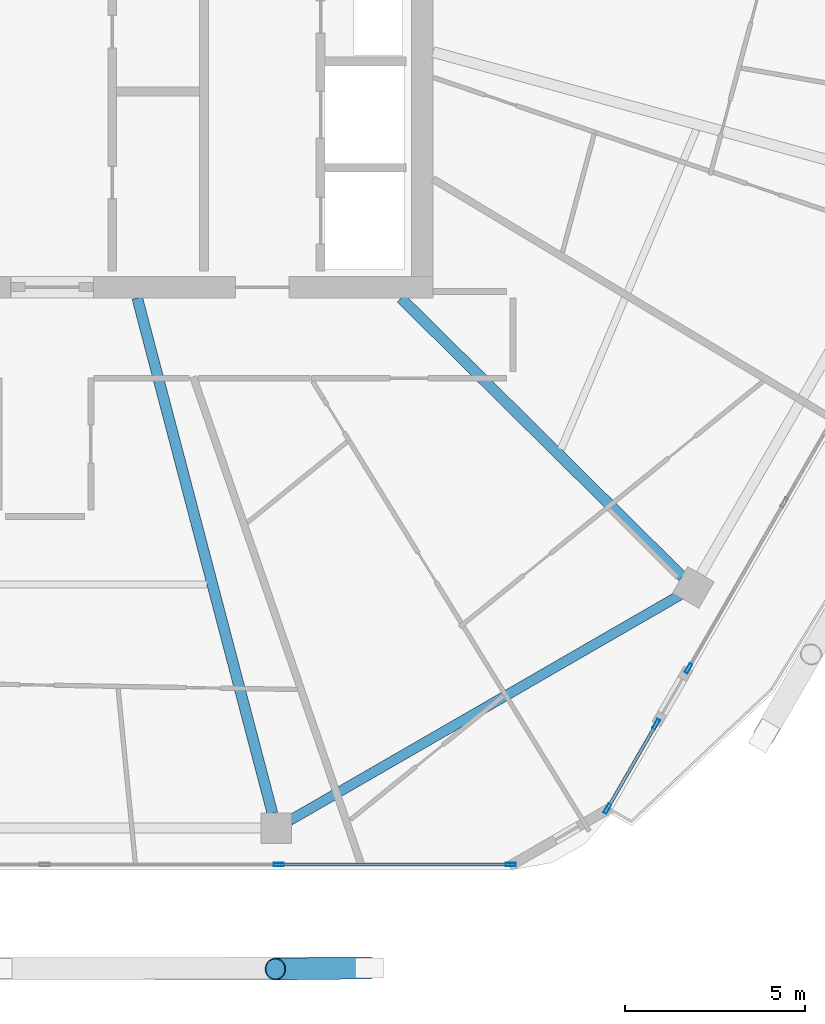
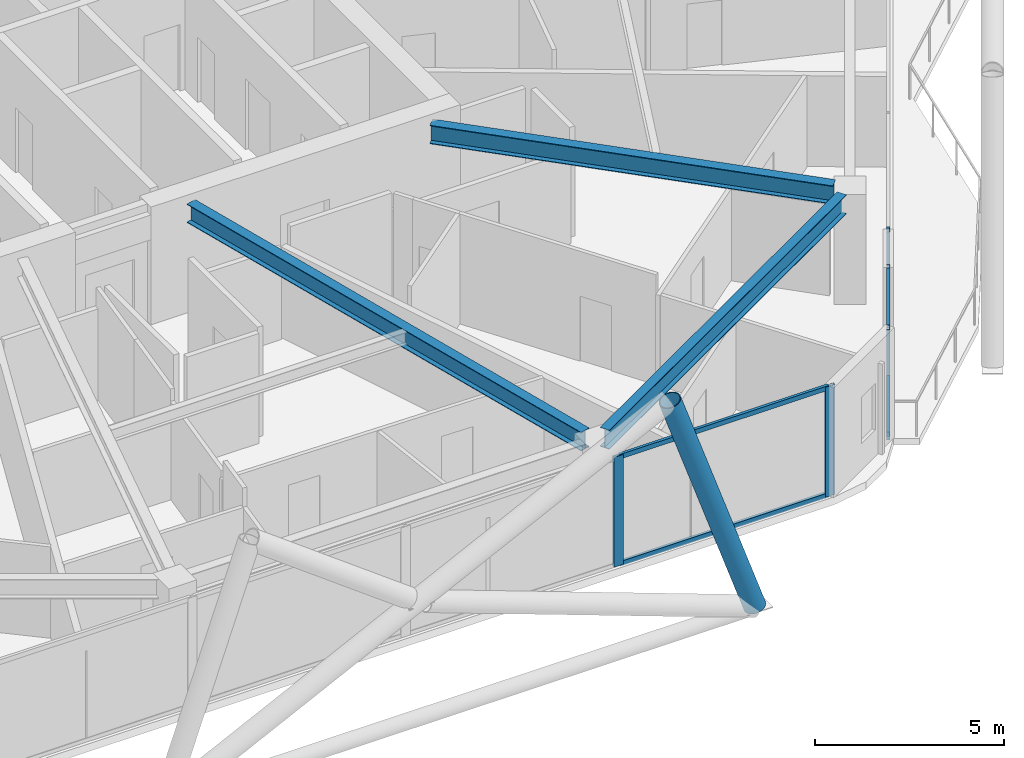
# One storey, part 8 of 29: 10 members, 3 beams, 3 elements without a shape of their own.
"""IFC4 building model written with IfcOpenShell, lengths in metres."""

from ifc_helpers import new_model, si_unit, direction, frame, origin, origin_2d, place, context, subcontext, project, spatial, hollow_rectangle, hollow_circle, i_section, extrude, material, material_profile, profile_set, type_object, element, aggregate, save


model = new_model("IFC4")

# Units and contexts
model_context = context("Model", 3, precision=1e-05, world=origin(), true_north=direction((0.0, 1.0)))
body_context = subcontext(model_context, "Body", "Model", "MODEL_VIEW")
ifc_project = project(units=[si_unit("LENGTHUNIT", "METRE"), si_unit("AREAUNIT", "SQUARE_METRE"), si_unit("VOLUMEUNIT", "CUBIC_METRE"), si_unit("PLANEANGLEUNIT", "RADIAN"), si_unit("MASSUNIT", "GRAM", prefix="KILO")], contexts=[model_context])

# Site, building, storey
site_placement = place(None, origin())
site = spatial("IfcSite", under=ifc_project, at=site_placement, CompositionType="ELEMENT")
building_placement = place(site_placement, origin())
building = spatial("IfcBuilding", under=site, at=building_placement, Name="Zuhravey Tower", CompositionType="ELEMENT")
storey_placement = place(building_placement, frame((0.0, 0.0, 292.0)))
storey = spatial("IfcBuildingStorey", under=building, at=storey_placement, Name="L74", CompositionType="ELEMENT", Elevation=292.0)

# Curtain wall, member
ifc_material_1 = material(Name="Thermally broken anodised aluminium", Category="aluminium")
curtain_wall_type = type_object("IfcCurtainWallType", Name="Zone 3-4 High-Rise Curtain Wall CW4", PredefinedType="NOTDEFINED", material=ifc_material_1)
curtain_wall_1_placement = place(storey_placement, origin())
curtain_wall_1 = element("IfcCurtainWall", 1, at=curtain_wall_1_placement, inside=storey, type_object=curtain_wall_type, Name="L74 CW4 CW-L74-F6-1", PredefinedType="NOTDEFINED")
ifc_material_2 = material(Name="Anodised aluminium", Category="aluminium")
ifc_material_profile_1 = material_profile(ifc_material_2, hollow_rectangle(XDim=0.090087890625, YDim=0.284912109375, WallThickness=0.0048828125, at=origin_2d()), Name="ALU-RHS-90x285x5")
ifc_profile_set_1 = profile_set([ifc_material_profile_1], Name="Anodised aluminium")
member_type_1 = type_object("IfcMemberType", Name="Curtain-Wall Mullion 90x180", PredefinedType="MULLION", material=ifc_profile_set_1)
member_1_placement = place(storey_placement, frame((53.909912109375, 11.8935546875, 0.0), z_axis=(0.0, 0.0, 1.0), x_axis=(0.866025601635, -0.499999657313, 0.0)))
member_1 = element("IfcMember", 2, at=member_1_placement, type_object=member_type_1, Name="CW4 mullion 5", PredefinedType="MULLION", context=body_context, shape_type="SweptSolid", body=[
    extrude(hollow_rectangle(XDim=0.090087890625, YDim=0.284912109375, WallThickness=0.0048828125, at=origin_2d()), origin(), (0.0, 0.0, 1.0), 3.550048828125),
])
aggregate(curtain_wall_1, [member_1])

# Curtain wall, members
curtain_wall_2_placement = place(storey_placement, origin())
curtain_wall_2 = element("IfcCurtainWall", 3, at=curtain_wall_2_placement, inside=storey, type_object=curtain_wall_type, Name="L74 CW4 CW-L74-F6-2", PredefinedType="NOTDEFINED")
member_2_placement = place(storey_placement, frame((53.014892578125, 10.343505859375, 0.0), z_axis=(0.0, 0.0, 1.0), x_axis=(0.866022611515, -0.500004836322, 0.0)))
member_2 = element("IfcMember", 4, at=member_2_placement, type_object=member_type_1, Name="CW4 mullion 1", PredefinedType="MULLION", context=body_context, shape_type="SweptSolid", body=[
    extrude(hollow_rectangle(XDim=0.090087890625, YDim=0.284912109375, WallThickness=0.0048828125, at=origin_2d()), origin(), (0.0, 0.0, 1.0), 3.550048828125),
])
member_3_placement = place(storey_placement, frame((51.65478515625, 7.98779296875, 0.0), z_axis=(0.0, 0.0, 1.0), x_axis=(0.866022611515, -0.500004836322, 0.0)))
member_3 = element("IfcMember", 5, at=member_3_placement, type_object=member_type_1, Name="CW4 mullion 2", PredefinedType="MULLION", context=body_context, shape_type="SweptSolid", body=[
    extrude(hollow_rectangle(XDim=0.090087890625, YDim=0.284912109375, WallThickness=0.0048828125, at=origin_2d()), origin(), (0.0, 0.0, 1.0), 3.550048828125),
])

curtain_wall_3_placement = place(storey_placement, origin())
curtain_wall_3 = element("IfcCurtainWall", 6, at=curtain_wall_3_placement, inside=storey, type_object=curtain_wall_type, Name="L74 CW4 CW-L74-F5-1", PredefinedType="NOTDEFINED")
member_4_placement = place(storey_placement, frame((48.9677734375, 6.436279296875, 0.0), z_axis=(0.0, 0.0, 1.0), x_axis=(0.0, -1.0, 0.0)))
member_4 = element("IfcMember", 7, at=member_4_placement, type_object=member_type_1, Name="CW4 mullion 1", PredefinedType="MULLION", context=body_context, shape_type="SweptSolid", body=[
    extrude(hollow_rectangle(XDim=0.090087890625, YDim=0.284912109375, WallThickness=0.0048828125, at=origin_2d()), origin(), (0.0, 0.0, 1.0), 3.550048828125),
])
member_5_placement = place(storey_placement, frame((42.50634765625, 6.436279296875, 0.0), z_axis=(0.0, 0.0, 1.0), x_axis=(0.0, -1.0, 0.0)))
member_5 = element("IfcMember", 8, at=member_5_placement, type_object=member_type_1, Name="CW4 mullion 2", PredefinedType="MULLION", context=body_context, shape_type="SweptSolid", body=[
    extrude(hollow_rectangle(XDim=0.090087890625, YDim=0.284912109375, WallThickness=0.0048828125, at=origin_2d()), origin(), (0.0, 0.0, 1.0), 3.550048828125),
])

# Member
ifc_material_profile_2 = material_profile(ifc_material_2, hollow_rectangle(XDim=0.090087890625, YDim=0.14990234375, WallThickness=0.0048828125, at=origin_2d()), Name="ALU-RHS-90x150x5")
ifc_profile_set_2 = profile_set([ifc_material_profile_2], Name="Anodised aluminium")
member_type_2 = type_object("IfcMemberType", Name="Curtain-Wall Transom 90x150", PredefinedType="USERDEFINED", material=ifc_profile_set_2)
member_6_placement = place(storey_placement, frame((52.992431640625, 10.304443359375, 0.044921875), z_axis=(-0.499992991546, -0.86602945008, 0.0), x_axis=(0.86602945008, -0.499992991546, 0.0)))
member_6 = element("IfcMember", 9, at=member_6_placement, type_object=member_type_2, Name="CW4 transom 1.1", ObjectType="TRANSOM", PredefinedType="USERDEFINED", context=body_context, shape_type="SweptSolid", body=[
    extrude(hollow_rectangle(XDim=0.090087890625, YDim=0.14990234375, WallThickness=0.0048828125, at=origin_2d()), origin(), (0.0, 0.0, 1.0), 2.6298828125),
])

member_7_placement = place(storey_placement, frame((52.992431640625, 10.304443359375, 3.5048828125), z_axis=(-0.499992991546, -0.86602945008, 0.0), x_axis=(0.86602945008, -0.499992991546, 0.0)))
member_7 = element("IfcMember", 10, at=member_7_placement, type_object=member_type_2, Name="CW4 transom 1.2", ObjectType="TRANSOM", PredefinedType="USERDEFINED", context=body_context, shape_type="SweptSolid", body=[
    extrude(hollow_rectangle(XDim=0.090087890625, YDim=0.14990234375, WallThickness=0.0048828125, at=origin_2d()), origin(), (0.0, 0.0, 1.0), 2.6298828125),
])

aggregate(curtain_wall_2, [member_2, member_3, member_6, member_7])

member_8_placement = place(storey_placement, frame((48.922607421875, 6.436279296875, 0.044921875), z_axis=(-1.0, 0.0, 0.0), x_axis=(0.0, -1.0, 0.0)))
member_8 = element("IfcMember", 11, at=member_8_placement, type_object=member_type_2, Name="CW4 transom 1.1", ObjectType="TRANSOM", PredefinedType="USERDEFINED", context=body_context, shape_type="SweptSolid", body=[
    extrude(hollow_rectangle(XDim=0.090087890625, YDim=0.14990234375, WallThickness=0.0048828125, at=origin_2d()), origin(), (0.0, 0.0, 1.0), 6.371337890625),
])

member_9_placement = place(storey_placement, frame((48.922607421875, 6.436279296875, 3.5048828125), z_axis=(-1.0, 0.0, 0.0), x_axis=(0.0, -1.0, 0.0)))
member_9 = element("IfcMember", 12, at=member_9_placement, type_object=member_type_2, Name="CW4 transom 1.2", ObjectType="TRANSOM", PredefinedType="USERDEFINED", context=body_context, shape_type="SweptSolid", body=[
    extrude(hollow_rectangle(XDim=0.090087890625, YDim=0.14990234375, WallThickness=0.0048828125, at=origin_2d()), origin(), (0.0, 0.0, 1.0), 6.371337890625),
])

aggregate(curtain_wall_3, [member_4, member_5, member_8, member_9])

ifc_material_3 = material(Name="Steel SM355", Category="steel")
ifc_material_profile_3 = material_profile(ifc_material_3, hollow_circle(Radius=0.3046875, WallThickness=0.028076171875, at=origin_2d()), Name="CHS-609.6x28")
ifc_profile_set_3 = profile_set([ifc_material_profile_3], Name="Steel SM355")
member_type_3 = type_object("IfcMemberType", Name="Exoskeleton Zone 3 Diagrid CHS610x28", PredefinedType="BRACE", material=ifc_profile_set_3)
member_10_placement = place(storey_placement, frame((45.022705078125, 3.556396484375, -0.446044921875), z_axis=(-0.326057972231, -0.003753053583, 0.945342326003), x_axis=(0.011509624999, -0.999933762072, 0.0)))
element("IfcMember", 13, at=member_10_placement, inside=storey, type_object=member_type_3, Name="L74 Face 5 Diagrid Brace 4", PredefinedType="BRACE", context=body_context, shape_type="SweptSolid", body=[
    extrude(hollow_circle(Radius=0.3046875, WallThickness=0.028076171875, at=origin_2d()), origin(), (0.0, 0.0, 1.0), 8.001220703125),
])

# Beams
ifc_material_profile_4 = material_profile(ifc_material_3, i_section(OverallWidth=0.280029296875, OverallDepth=0.6201171875, WebThickness=0.011962890625, FlangeThickness=0.02001953125, at=origin_2d()), Name="H-620x280x12x20")
ifc_profile_set_4 = profile_set([ifc_material_profile_4], Name="Steel SM355")
beam_type_1 = type_object("IfcBeamType", Name="Perimeter Ring Beam H620x280", PredefinedType="BEAM", material=ifc_profile_set_4)
beam_1_placement = place(storey_placement, frame((42.8115234375, 7.660400390625, 3.239990234375), z_axis=(0.866018312875, 0.500012281615, 0.0), x_axis=(-0.500012281615, 0.866018312875, 0.0)))
element("IfcBeam", 14, at=beam_1_placement, inside=storey, type_object=beam_type_1, Name="L74 PB3 BM-L74-PB-10", PredefinedType="BEAM", context=body_context, shape_type="SweptSolid", body=[
    extrude(i_section(OverallWidth=0.280029296875, OverallDepth=0.6201171875, WebThickness=0.011962890625, FlangeThickness=0.02001953125, at=origin_2d()), origin(), (0.0, 0.0, 1.0), 12.541748046875),
])
ifc_material_profile_5 = material_profile(ifc_material_3, i_section(OverallWidth=0.300048828125, OverallDepth=0.60009765625, WebThickness=0.011962890625, FlangeThickness=0.02001953125, at=origin_2d()), Name="H-600x300x12x20")
ifc_profile_set_5 = profile_set([ifc_material_profile_5], Name="Steel SM355")
beam_type_2 = type_object("IfcBeamType", Name="Radial Primary Girder H600x300", PredefinedType="BEAM", material=ifc_profile_set_5)
beam_2_placement = place(storey_placement, frame((38.571533203125, 22.197021484375, 3.25), z_axis=(0.25373188956, -0.967274587809, 0.0), x_axis=(0.967274587809, 0.25373188956, 0.0)))
element("IfcBeam", 15, at=beam_2_placement, inside=storey, type_object=beam_type_2, Name="L74 RG3 BM-L74-RAD-10", PredefinedType="BEAM", context=body_context, shape_type="SweptSolid", body=[
    extrude(i_section(OverallWidth=0.300048828125, OverallDepth=0.60009765625, WebThickness=0.011962890625, FlangeThickness=0.02001953125, at=origin_2d()), origin(), (0.0, 0.0, 1.0), 14.82177734375),
])
beam_3_placement = place(storey_placement, frame((45.90673828125, 22.197021484375, 3.25), z_axis=(0.710808169267, -0.70338591577, 0.0), x_axis=(0.70338591577, 0.710808169267, 0.0)))
element("IfcBeam", 16, at=beam_3_placement, inside=storey, type_object=beam_type_2, Name="L74 RG3 BM-L74-RAD-11", PredefinedType="BEAM", context=body_context, shape_type="SweptSolid", body=[
    extrude(i_section(OverallWidth=0.300048828125, OverallDepth=0.60009765625, WebThickness=0.011962890625, FlangeThickness=0.02001953125, at=origin_2d()), origin(), (0.0, 0.0, 1.0), 11.019287109375),
])

save(model, "model.ifc")
